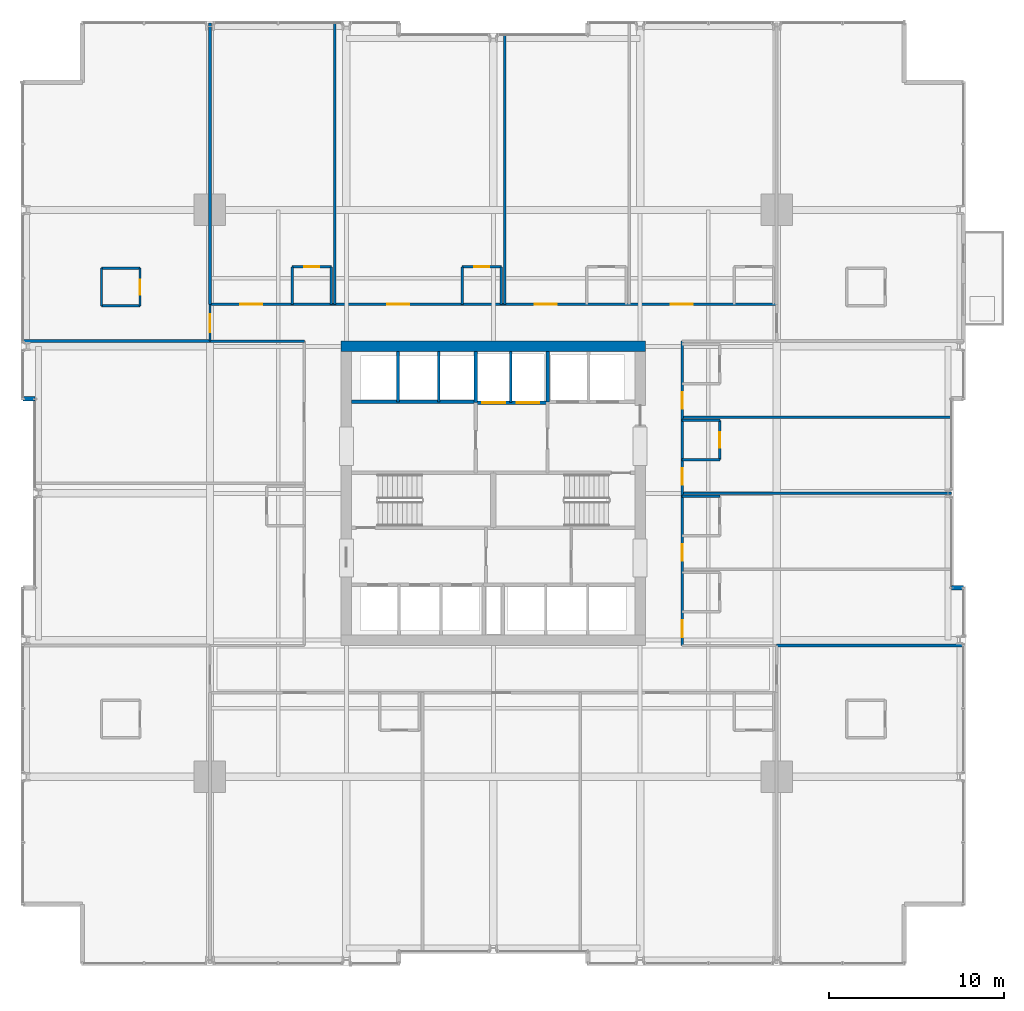
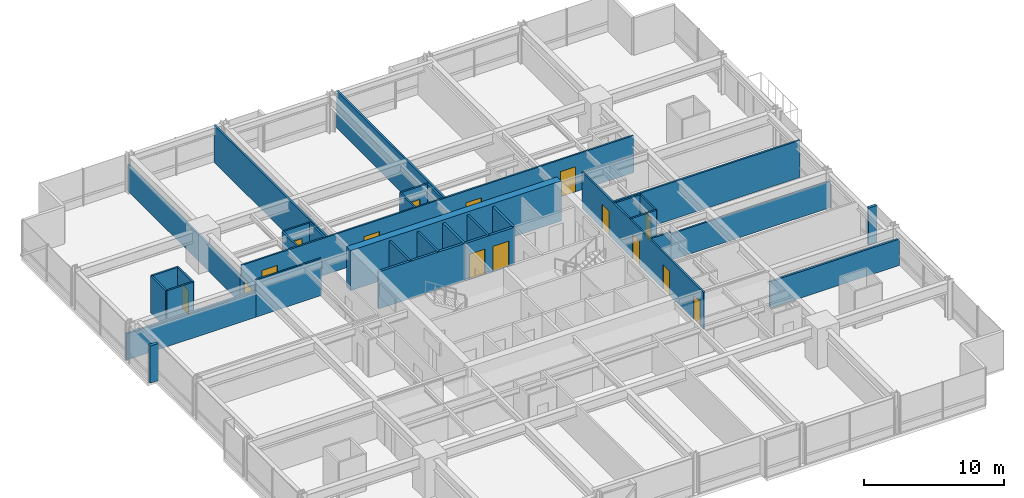
# One storey, part 32 of 38: 35 walls, 15 doors, 15 openings.
"""IFC4 building model written with IfcOpenShell, lengths in metres."""

from ifc_helpers import new_model, si_unit, direction, frame, frame_2d, origin, place, context, subcontext, project, spatial, rectangle, extrude, material, layer, layer_set, type_object, element, fill, save


model = new_model("IFC4")

# Units and contexts
model_context = context("Model", 3, precision=1e-05, world=origin(), true_north=direction((0.0, 1.0)))
body_context = subcontext(model_context, "Body", "Model", "MODEL_VIEW")
ifc_project = project(units=[si_unit("LENGTHUNIT", "METRE"), si_unit("AREAUNIT", "SQUARE_METRE"), si_unit("VOLUMEUNIT", "CUBIC_METRE"), si_unit("PLANEANGLEUNIT", "RADIAN"), si_unit("MASSUNIT", "GRAM", prefix="KILO")], contexts=[model_context])

# Site, building, storey
site_placement = place(None, origin())
site = spatial("IfcSite", under=ifc_project, at=site_placement, CompositionType="ELEMENT")
building_placement = place(site_placement, origin())
building = spatial("IfcBuilding", under=site, at=building_placement, Name="Drelvath Grand Hotel", CompositionType="ELEMENT")
storey_placement = place(building_placement, frame((0.0, 0.0, 47.199951171875)))
storey = spatial("IfcBuildingStorey", under=building, at=storey_placement, Name="L10", CompositionType="ELEMENT", Elevation=47.199951171875)

# Wall
ifc_material_1 = material(Name="Concrete C40/50", Category="concrete")
ifc_layer_1 = layer(ifc_material_1, 0.199951171875)
ifc_layer_set_1 = layer_set([ifc_layer_1], Name="Concrete C40/50")
wall_type_1 = type_object("IfcWallType", Name="Core Hoistway Fire Wall 200", PredefinedType="SOLIDWALL", material=ifc_layer_set_1)
wall_1_placement = place(storey_placement, frame((3.10009765625, 32.219970703125, 0.0), z_axis=(0.0, 0.0, 1.0), x_axis=(0.0, 1.0, 0.0)))
element("IfcWall", 1, at=wall_1_placement, inside=storey, type_object=wall_type_1, Name="L10 FSAE Hoistway West Wall", PredefinedType="SOLIDWALL", context=body_context, shape_type="SweptSolid", body=[
    extrude(rectangle(XDim=2.880126953125, YDim=0.199951171875, at=frame_2d((1.43994140625, 0.0))), origin(), (0.0, 0.0, 1.0), 3.239990234375),
])

# Wall, openings, doors
wall_2_placement = place(storey_placement, frame((-1.0, 32.179931640625, 0.0), z_axis=(0.0, 0.0, 1.0), x_axis=(1.0, 0.0, 0.0)))
wall_2 = element("IfcWall", 2, at=wall_2_placement, inside=storey, type_object=wall_type_1, Name="L10 Service Lift Hoistway Wall", PredefinedType="SOLIDWALL", context=body_context, shape_type="SweptSolid", body=[
    extrude(rectangle(XDim=4.10009765625, YDim=0.199951171875, at=frame_2d((2.050048828125, 0.0))), origin(), (0.0, 0.0, 1.0), 3.239990234375),
])
opening_1_placement = place(wall_2_placement, frame((0.3701171875, 0.0, 0.0)))
opening_1 = element("IfcOpeningElement", 3, at=opening_1_placement, cuts=wall_2, Name="Opening LD-SV-2", PredefinedType="OPENING", context=body_context, shape_type="SweptSolid", body=[
    extrude(rectangle(XDim=1.300048828125, YDim=2.199951171875, at=frame_2d((0.64990234375, 1.10009765625))), frame((0.0, 0.10986328125, 0.0), z_axis=(0.0, -1.0, 0.0), x_axis=(1.0, 0.0, 0.0)), (0.0, 0.0, 1.0), 0.219970703125),
])
opening_2_placement = place(wall_2_placement, frame((2.330078125, 0.0, 0.0)))
opening_2 = element("IfcOpeningElement", 4, at=opening_2_placement, cuts=wall_2, Name="Opening LD-SV-1", PredefinedType="OPENING", context=body_context, shape_type="SweptSolid", body=[
    extrude(rectangle(XDim=1.300048828125, YDim=2.199951171875, at=frame_2d((0.64990234375, 1.10009765625))), frame((0.0, 0.10986328125, 0.0), z_axis=(0.0, -1.0, 0.0), x_axis=(1.0, 0.0, 0.0)), (0.0, 0.0, 1.0), 0.219970703125),
])
ifc_material_2 = material(Name="Stainless Steel S355", Category="steel")
door_type_1 = type_object("IfcDoorType", Name="Service Lift Sliding Landing Door 1300x2200", OperationType="NOTDEFINED", PredefinedType="DOOR", material=ifc_material_2)
door_1_placement = place(opening_1_placement, origin())
door_1 = element("IfcDoor", 5, at=door_1_placement, inside=storey, type_object=door_type_1, Name="L10 Lift SV-2 Landing Door", OperationType="SLIDING_TO_LEFT", OverallHeight=2.199951171875, OverallWidth=1.300048828125, PredefinedType="DOOR", context=body_context, shape_type="SweptSolid", body=[
    extrude(rectangle(XDim=1.300048828125, YDim=2.199951171875, at=frame_2d((0.64990234375, 1.10009765625))), frame((0.0, 0.02490234375, 0.0), z_axis=(0.0, -1.0, 0.0), x_axis=(1.0, 0.0, 0.0)), (0.0, 0.0, 1.0), 0.050048828125),
])
fill(opening_1, door_1)
door_2_placement = place(opening_2_placement, origin())
door_2 = element("IfcDoor", 6, at=door_2_placement, inside=storey, type_object=door_type_1, Name="L10 Lift SV-1 Landing Door", OperationType="SLIDING_TO_LEFT", OverallHeight=2.199951171875, OverallWidth=1.300048828125, PredefinedType="DOOR", context=body_context, shape_type="SweptSolid", body=[
    extrude(rectangle(XDim=1.300048828125, YDim=2.199951171875, at=frame_2d((0.64990234375, 1.10009765625))), frame((0.0, 0.02490234375, 0.0), z_axis=(0.0, -1.0, 0.0), x_axis=(1.0, 0.0, 0.0)), (0.0, 0.0, 1.0), 0.050048828125),
])
fill(opening_2, door_2)

# Walls
wall_3_placement = place(storey_placement, frame((-1.0, 32.179931640625, 0.0), z_axis=(0.0, 0.0, 1.0), x_axis=(0.0, 1.0, 0.0)))
element("IfcWall", 7, at=wall_3_placement, inside=storey, type_object=wall_type_1, Name="L10 Service Lift West Wall", PredefinedType="SOLIDWALL", context=body_context, shape_type="SweptSolid", body=[
    extrude(rectangle(XDim=2.920166015625, YDim=0.199951171875, at=frame_2d((1.4599609375, 0.0))), origin(), (0.0, 0.0, 1.0), 3.239990234375),
])
wall_4_placement = place(storey_placement, frame((-8.10009765625, 32.219970703125, 0.0), z_axis=(0.0, 0.0, 1.0), x_axis=(1.0, 0.0, 0.0)))
element("IfcWall", 8, at=wall_4_placement, inside=storey, type_object=wall_type_1, Name="L10 Bank 3 Hoistway Wall", PredefinedType="SOLIDWALL", context=body_context, shape_type="SweptSolid", body=[
    extrude(rectangle(XDim=7.10009765625, YDim=0.199951171875, at=frame_2d((3.550048828125, 0.0))), origin(), (0.0, 0.0, 1.0), 3.239990234375),
])
ifc_material_3 = material(Name="Gypsum Fireboard Partition")
ifc_layer_2 = layer(ifc_material_3, 0.1650390625)
ifc_layer_set_2 = layer_set([ifc_layer_2], Name="Gypsum Fireboard Partition")
wall_type_2 = type_object("IfcWallType", Name="Core Shaft Partition 165", PredefinedType="PARTITIONING", material=ifc_layer_set_2)
wall_5_placement = place(storey_placement, frame((1.0, 32.179931640625, 0.0), z_axis=(0.0, 0.0, 1.0), x_axis=(0.0, 1.0, 0.0)))
element("IfcWall", 9, at=wall_5_placement, inside=storey, type_object=wall_type_2, Name="L10 Service Lift Divider", PredefinedType="PARTITIONING", context=body_context, shape_type="SweptSolid", body=[
    extrude(rectangle(XDim=2.920166015625, YDim=0.1650390625, at=frame_2d((1.4599609375, 0.0))), origin(), (0.0, 0.0, 1.0), 3.239990234375),
])
for number, where, z_axis, x_axis, name in (
    (10, (-5.43994140625, 32.219970703125, 0.0), (0.0, 0.0, 1.0), (0.0, 1.0, 0.0), "L10 Lift PE-7/8 Divider"),
    (11, (-3.1201171875, 32.219970703125, 0.0), (0.0, 0.0, 1.0), (0.0, 1.0, 0.0), "L10 Lift PE-8/9 Divider"),
):
    element("IfcWall", number, at=place(storey_placement, frame(where, z_axis=z_axis, x_axis=x_axis)), inside=storey, type_object=wall_type_2, Name=name, PredefinedType="PARTITIONING", context=body_context, shape_type="SweptSolid", body=[
        extrude(rectangle(XDim=2.880126953125, YDim=0.1650390625, at=frame_2d((1.43994140625, 0.0))), origin(), (0.0, 0.0, 1.0), 3.239990234375),
    ])

# Wall, openings, doors
ifc_layer_3 = layer(ifc_material_3, 0.135009765625)
ifc_layer_set_3 = layer_set([ifc_layer_3], Name="Gypsum Fireboard Partition")
wall_type_3 = type_object("IfcWallType", Name="Corridor Fire Barrier Wall 135", PredefinedType="PARTITIONING", material=ifc_layer_set_3)
wall_6_placement = place(storey_placement, frame((-16.199951171875, 37.800048828125, 0.0), z_axis=(0.0, 0.0, 1.0), x_axis=(1.0, 0.0, 0.0)))
wall_6 = element("IfcWall", 12, at=wall_6_placement, inside=storey, type_object=wall_type_3, Name="L10 North Corridor Wall", PredefinedType="PARTITIONING", context=body_context, shape_type="SweptSolid", body=[
    extrude(rectangle(XDim=32.39990234375, YDim=0.135009765625, at=frame_2d((16.199951171875, 0.0))), origin(), (0.0, 0.0, 1.0), 3.239990234375),
])
opening_3_placement = place(wall_6_placement, frame((1.718994140625, 0.0, 0.0)))
opening_3 = element("IfcOpeningElement", 13, at=opening_3_placement, cuts=wall_6, Name="Opening D-T1G2-030", PredefinedType="OPENING", context=body_context, shape_type="SweptSolid", body=[
    extrude(rectangle(XDim=1.260009765625, YDim=2.199951171875, at=frame_2d((0.6298828125, 1.10009765625))), frame((0.0, 0.077392578125, 0.0), z_axis=(0.0, -1.0, 0.0), x_axis=(1.0, 0.0, 0.0)), (0.0, 0.0, 1.0), 0.155029296875),
])
opening_4_placement = place(wall_6_placement, frame((10.14306640625, 0.0, 0.0)))
opening_4 = element("IfcOpeningElement", 14, at=opening_4_placement, cuts=wall_6, Name="Opening D-T1G2-032", PredefinedType="OPENING", context=body_context, shape_type="SweptSolid", body=[
    extrude(rectangle(XDim=1.260009765625, YDim=2.199951171875, at=frame_2d((0.6298828125, 1.10009765625))), frame((0.0, 0.077392578125, 0.0), z_axis=(0.0, -1.0, 0.0), x_axis=(1.0, 0.0, 0.0)), (0.0, 0.0, 1.0), 0.155029296875),
])
opening_5_placement = place(wall_6_placement, frame((18.56689453125, 0.0, 0.0)))
opening_5 = element("IfcOpeningElement", 15, at=opening_5_placement, cuts=wall_6, Name="Opening D-T1G2-034", PredefinedType="OPENING", context=body_context, shape_type="SweptSolid", body=[
    extrude(rectangle(XDim=1.260009765625, YDim=2.199951171875, at=frame_2d((0.6298828125, 1.10009765625))), frame((0.0, 0.077392578125, 0.0), z_axis=(0.0, -1.0, 0.0), x_axis=(1.0, 0.0, 0.0)), (0.0, 0.0, 1.0), 0.155029296875),
])
opening_6_placement = place(wall_6_placement, frame((26.343017578125, 0.0, 0.0)))
opening_6 = element("IfcOpeningElement", 16, at=opening_6_placement, cuts=wall_6, Name="Opening D-T1G2-036", PredefinedType="OPENING", context=body_context, shape_type="SweptSolid", body=[
    extrude(rectangle(XDim=1.260009765625, YDim=2.199951171875, at=frame_2d((0.6298828125, 1.10009765625))), frame((0.0, 0.077392578125, 0.0), z_axis=(0.0, -1.0, 0.0), x_axis=(1.0, 0.0, 0.0)), (0.0, 0.0, 1.0), 0.155029296875),
])
ifc_material_4 = material(Name="Hardwood Walnut Timber", Category="wood")
door_type_2 = type_object("IfcDoorType", Name="Suite Entrance Fire Door 1260x2200", OperationType="NOTDEFINED", PredefinedType="DOOR", material=ifc_material_4)
door_3_placement = place(opening_3_placement, origin())
door_3 = element("IfcDoor", 17, at=door_3_placement, inside=storey, type_object=door_type_2, Name="L10 Corner Suite Entry Door", OperationType="SINGLE_SWING_LEFT", OverallHeight=2.199951171875, OverallWidth=1.260009765625, PredefinedType="DOOR", context=body_context, shape_type="SweptSolid", body=[
    extrude(rectangle(XDim=1.260009765625, YDim=2.199951171875, at=frame_2d((0.6298828125, 1.10009765625))), frame((0.0, 0.02490234375, 0.0), z_axis=(0.0, -1.0, 0.0), x_axis=(1.0, 0.0, 0.0)), (0.0, 0.0, 1.0), 0.050048828125),
])
fill(opening_3, door_3)
door_4_placement = place(opening_4_placement, origin())
door_4 = element("IfcDoor", 18, at=door_4_placement, inside=storey, type_object=door_type_2, Name="L10 Corner Suite Entry Door", OperationType="SINGLE_SWING_LEFT", OverallHeight=2.199951171875, OverallWidth=1.260009765625, PredefinedType="DOOR", context=body_context, shape_type="SweptSolid", body=[
    extrude(rectangle(XDim=1.260009765625, YDim=2.199951171875, at=frame_2d((0.6298828125, 1.10009765625))), frame((0.0, 0.02490234375, 0.0), z_axis=(0.0, -1.0, 0.0), x_axis=(1.0, 0.0, 0.0)), (0.0, 0.0, 1.0), 0.050048828125),
])
fill(opening_4, door_4)
door_5_placement = place(opening_5_placement, origin())
door_5 = element("IfcDoor", 19, at=door_5_placement, inside=storey, type_object=door_type_2, Name="L10 Corner Suite Entry Door", OperationType="SINGLE_SWING_LEFT", OverallHeight=2.199951171875, OverallWidth=1.260009765625, PredefinedType="DOOR", context=body_context, shape_type="SweptSolid", body=[
    extrude(rectangle(XDim=1.260009765625, YDim=2.199951171875, at=frame_2d((0.6298828125, 1.10009765625))), frame((0.0, 0.02490234375, 0.0), z_axis=(0.0, -1.0, 0.0), x_axis=(1.0, 0.0, 0.0)), (0.0, 0.0, 1.0), 0.050048828125),
])
fill(opening_5, door_5)
door_6_placement = place(opening_6_placement, origin())
door_6 = element("IfcDoor", 20, at=door_6_placement, inside=storey, type_object=door_type_2, Name="L10 Corner Suite Entry Door", OperationType="SINGLE_SWING_LEFT", OverallHeight=2.199951171875, OverallWidth=1.260009765625, PredefinedType="DOOR", context=body_context, shape_type="SweptSolid", body=[
    extrude(rectangle(XDim=1.260009765625, YDim=2.199951171875, at=frame_2d((0.6298828125, 1.10009765625))), frame((0.0, 0.02490234375, 0.0), z_axis=(0.0, -1.0, 0.0), x_axis=(1.0, 0.0, 0.0)), (0.0, 0.0, 1.0), 0.050048828125),
])
fill(opening_6, door_6)

# Wall
wall_7_placement = place(storey_placement, frame((-16.199951171875, 35.699951171875, 0.0), z_axis=(0.0, 0.0, 1.0), x_axis=(1.0, 0.0, 0.0)))
element("IfcWall", 21, at=wall_7_placement, inside=storey, type_object=wall_type_3, Name="L10 NW Spur Inner Wall", PredefinedType="PARTITIONING", context=body_context, shape_type="SweptSolid", body=[
    extrude(rectangle(XDim=5.39990234375, YDim=0.135009765625, at=frame_2d((2.699951171875, 0.0))), origin(), (0.0, 0.0, 1.0), 3.239990234375),
])

# Wall, openings, doors
wall_8_placement = place(storey_placement, frame((10.800048828125, 18.300048828125, 0.0), z_axis=(0.0, 0.0, 1.0), x_axis=(0.0, 1.0, 0.0)))
wall_8 = element("IfcWall", 22, at=wall_8_placement, inside=storey, type_object=wall_type_3, Name="L10 East Corridor Wall", PredefinedType="PARTITIONING", context=body_context, shape_type="SweptSolid", body=[
    extrude(rectangle(XDim=17.39990234375, YDim=0.135009765625, at=frame_2d((8.699951171875, 0.0))), origin(), (0.0, 0.0, 1.0), 3.239990234375),
])
opening_7_placement = place(wall_8_placement, frame((0.47998046875, 0.0, 0.0)))
opening_7 = element("IfcOpeningElement", 23, at=opening_7_placement, cuts=wall_8, Name="Opening D-T1G2-041", PredefinedType="OPENING", context=body_context, shape_type="SweptSolid", body=[
    extrude(rectangle(XDim=0.9599609375, YDim=2.14990234375, at=frame_2d((0.47998046875, 1.074951171875))), frame((0.0, 0.077392578125, 0.0), z_axis=(0.0, -1.0, 0.0), x_axis=(1.0, 0.0, 0.0)), (0.0, 0.0, 1.0), 0.155029296875),
])
opening_8_placement = place(wall_8_placement, frame((4.830078125, 0.0, 0.0)))
opening_8 = element("IfcOpeningElement", 24, at=opening_8_placement, cuts=wall_8, Name="Opening D-T1G2-043", PredefinedType="OPENING", context=body_context, shape_type="SweptSolid", body=[
    extrude(rectangle(XDim=0.9599609375, YDim=2.14990234375, at=frame_2d((0.47998046875, 1.074951171875))), frame((0.0, 0.077392578125, 0.0), z_axis=(0.0, -1.0, 0.0), x_axis=(1.0, 0.0, 0.0)), (0.0, 0.0, 1.0), 0.155029296875),
])
opening_9_placement = place(wall_8_placement, frame((9.179931640625, 0.0, 0.0)))
opening_9 = element("IfcOpeningElement", 25, at=opening_9_placement, cuts=wall_8, Name="Opening D-T1G2-045", PredefinedType="OPENING", context=body_context, shape_type="SweptSolid", body=[
    extrude(rectangle(XDim=0.9599609375, YDim=2.14990234375, at=frame_2d((0.47998046875, 1.074951171875))), frame((0.0, 0.077392578125, 0.0), z_axis=(0.0, -1.0, 0.0), x_axis=(1.0, 0.0, 0.0)), (0.0, 0.0, 1.0), 0.155029296875),
])
opening_10_placement = place(wall_8_placement, frame((13.530029296875, 0.0, 0.0)))
opening_10 = element("IfcOpeningElement", 26, at=opening_10_placement, cuts=wall_8, Name="Opening D-T1G2-047", PredefinedType="OPENING", context=body_context, shape_type="SweptSolid", body=[
    extrude(rectangle(XDim=0.9599609375, YDim=2.14990234375, at=frame_2d((0.47998046875, 1.074951171875))), frame((0.0, 0.077392578125, 0.0), z_axis=(0.0, -1.0, 0.0), x_axis=(1.0, 0.0, 0.0)), (0.0, 0.0, 1.0), 0.155029296875),
])
door_type_3 = type_object("IfcDoorType", Name="Guestroom Entrance Fire Door 960x2150", OperationType="NOTDEFINED", PredefinedType="DOOR", material=ifc_material_4)
door_7_placement = place(opening_7_placement, origin())
door_7 = element("IfcDoor", 27, at=door_7_placement, inside=storey, type_object=door_type_3, Name="L10 Deluxe Guest Room Entry Door", OperationType="SINGLE_SWING_RIGHT", OverallHeight=2.14990234375, OverallWidth=0.9599609375, PredefinedType="DOOR", context=body_context, shape_type="SweptSolid", body=[
    extrude(rectangle(XDim=0.9599609375, YDim=2.14990234375, at=frame_2d((0.47998046875, 1.074951171875))), frame((0.0, 0.02490234375, 0.0), z_axis=(0.0, -1.0, 0.0), x_axis=(1.0, 0.0, 0.0)), (0.0, 0.0, 1.0), 0.050048828125),
])
fill(opening_7, door_7)
door_8_placement = place(opening_8_placement, origin())
door_8 = element("IfcDoor", 28, at=door_8_placement, inside=storey, type_object=door_type_3, Name="L10 Deluxe Guest Room Entry Door", OperationType="SINGLE_SWING_RIGHT", OverallHeight=2.14990234375, OverallWidth=0.9599609375, PredefinedType="DOOR", context=body_context, shape_type="SweptSolid", body=[
    extrude(rectangle(XDim=0.9599609375, YDim=2.14990234375, at=frame_2d((0.47998046875, 1.074951171875))), frame((0.0, 0.02490234375, 0.0), z_axis=(0.0, -1.0, 0.0), x_axis=(1.0, 0.0, 0.0)), (0.0, 0.0, 1.0), 0.050048828125),
])
fill(opening_8, door_8)
door_9_placement = place(opening_9_placement, origin())
door_9 = element("IfcDoor", 29, at=door_9_placement, inside=storey, type_object=door_type_3, Name="L10 Deluxe Guest Room Entry Door", OperationType="SINGLE_SWING_RIGHT", OverallHeight=2.14990234375, OverallWidth=0.9599609375, PredefinedType="DOOR", context=body_context, shape_type="SweptSolid", body=[
    extrude(rectangle(XDim=0.9599609375, YDim=2.14990234375, at=frame_2d((0.47998046875, 1.074951171875))), frame((0.0, 0.02490234375, 0.0), z_axis=(0.0, -1.0, 0.0), x_axis=(1.0, 0.0, 0.0)), (0.0, 0.0, 1.0), 0.050048828125),
])
fill(opening_9, door_9)
door_10_placement = place(opening_10_placement, origin())
door_10 = element("IfcDoor", 30, at=door_10_placement, inside=storey, type_object=door_type_3, Name="L10 Deluxe Guest Room Entry Door", OperationType="SINGLE_SWING_RIGHT", OverallHeight=2.14990234375, OverallWidth=0.9599609375, PredefinedType="DOOR", context=body_context, shape_type="SweptSolid", body=[
    extrude(rectangle(XDim=0.9599609375, YDim=2.14990234375, at=frame_2d((0.47998046875, 1.074951171875))), frame((0.0, 0.02490234375, 0.0), z_axis=(0.0, -1.0, 0.0), x_axis=(1.0, 0.0, 0.0)), (0.0, 0.0, 1.0), 0.050048828125),
])
fill(opening_10, door_10)

# Wall, opening, door
wall_9_placement = place(storey_placement, frame((-16.199951171875, 35.699951171875, 0.0), z_axis=(0.0, 0.0, 1.0), x_axis=(0.0, 1.0, 0.0)))
wall_9 = element("IfcWall", 31, at=wall_9_placement, inside=storey, type_object=wall_type_3, Name="L10 North Corridor West End", PredefinedType="PARTITIONING", context=body_context, shape_type="SweptSolid", body=[
    extrude(rectangle(XDim=2.10009765625, YDim=0.135009765625, at=frame_2d((1.050048828125, 0.0))), origin(), (0.0, 0.0, 1.0), 2.29833984375),
])
opening_11_placement = place(wall_9_placement, frame((0.52001953125, 0.0, 0.0)))
opening_11 = element("IfcOpeningElement", 32, at=opening_11_placement, cuts=wall_9, Name="Opening D-T1G2-021", PredefinedType="OPENING", context=body_context, shape_type="SweptSolid", body=[
    extrude(rectangle(XDim=1.02001953125, YDim=2.14990234375, at=frame_2d((0.510009765625, 1.074951171875))), frame((0.0, 0.077392578125, 0.0), z_axis=(0.0, -1.0, 0.0), x_axis=(1.0, 0.0, 0.0)), (0.0, 0.0, 1.0), 0.155029296875),
])
door_type_4 = type_object("IfcDoorType", Name="Amenity Meeting Fire Door 1020x2150", OperationType="NOTDEFINED", PredefinedType="DOOR", material=ifc_material_4)
door_11_placement = place(opening_11_placement, origin())
door_11 = element("IfcDoor", 33, at=door_11_placement, inside=storey, type_object=door_type_4, Name="L10 Corner Suite Entry Door", OperationType="SINGLE_SWING_RIGHT", OverallHeight=2.14990234375, OverallWidth=1.02001953125, PredefinedType="DOOR", context=body_context, shape_type="SweptSolid", body=[
    extrude(rectangle(XDim=1.02001953125, YDim=2.14990234375, at=frame_2d((0.510009765625, 1.074951171875))), frame((0.0, 0.02490234375, 0.0), z_axis=(0.0, -1.0, 0.0), x_axis=(1.0, 0.0, 0.0)), (0.0, 0.0, 1.0), 0.050048828125),
])
fill(opening_11, door_11)

# Walls
ifc_material_5 = material(Name="Moisture-Resistant Gypsum Board")
ifc_layer_4 = layer(ifc_material_5, 0.139892578125)
ifc_layer_set_4 = layer_set([ifc_layer_4], Name="Moisture-Resistant Gypsum Board")
wall_type_4 = type_object("IfcWallType", Name="En-Suite Plumbing Wall 140", PredefinedType="PLUMBINGWALL", material=ifc_layer_set_4)
for number, where, z_axis, x_axis, name in (
    (34, (-22.39990234375, 37.719970703125, 0.0), (0.0, 0.0, 1.0), (1.0, 0.0, 0.0), "L10 Corner En-Suite South"),
    (35, (-22.39990234375, 39.8701171875, 0.0), (0.0, 0.0, 1.0), (1.0, 0.0, 0.0), "L10 Corner En-Suite North"),
):
    element("IfcWall", number, at=place(storey_placement, frame(where, z_axis=z_axis, x_axis=x_axis)), inside=storey, type_object=wall_type_4, Name=name, PredefinedType="PLUMBINGWALL", context=body_context, shape_type="SweptSolid", body=[
        extrude(rectangle(XDim=2.199951171875, YDim=0.139892578125, at=frame_2d((1.10009765625, 0.0))), origin(), (0.0, 0.0, 1.0), 3.239990234375),
    ])
wall_10_placement = place(storey_placement, frame((-22.39990234375, 37.719970703125, 0.0), z_axis=(0.0, 0.0, 1.0), x_axis=(0.0, 1.0, 0.0)))
element("IfcWall", 36, at=wall_10_placement, inside=storey, type_object=wall_type_4, Name="L10 Corner En-Suite West", PredefinedType="PLUMBINGWALL", context=body_context, shape_type="SweptSolid", body=[
    extrude(rectangle(XDim=2.150146484375, YDim=0.139892578125, at=frame_2d((1.0751953125, 0.0))), origin(), (0.0, 0.0, 1.0), 3.239990234375),
])

# Wall, opening, door
wall_11_placement = place(storey_placement, frame((-20.199951171875, 37.719970703125, 0.0), z_axis=(0.0, 0.0, 1.0), x_axis=(0.0, 1.0, 0.0)))
wall_11 = element("IfcWall", 37, at=wall_11_placement, inside=storey, type_object=wall_type_4, Name="L10 Corner En-Suite East", PredefinedType="PLUMBINGWALL", context=body_context, shape_type="SweptSolid", body=[
    extrude(rectangle(XDim=2.150146484375, YDim=0.139892578125, at=frame_2d((1.0751953125, 0.0))), origin(), (0.0, 0.0, 1.0), 3.239990234375),
])
opening_12_placement = place(wall_11_placement, frame((0.6201171875, 0.0, 0.0)))
opening_12 = element("IfcOpeningElement", 38, at=opening_12_placement, cuts=wall_11, Name="Opening D-T1G2-020", PredefinedType="OPENING", context=body_context, shape_type="SweptSolid", body=[
    extrude(rectangle(XDim=0.8798828125, YDim=2.10009765625, at=frame_2d((0.43994140625, 1.050048828125))), frame((0.0, 0.079833984375, 0.0), z_axis=(0.0, -1.0, 0.0), x_axis=(1.0, 0.0, 0.0)), (0.0, 0.0, 1.0), 0.159912109375),
])
door_type_5 = type_object("IfcDoorType", Name="En-Suite Bathroom Door 880x2100", OperationType="NOTDEFINED", PredefinedType="DOOR", material=ifc_material_4)
door_12_placement = place(opening_12_placement, origin())
door_12 = element("IfcDoor", 39, at=door_12_placement, inside=storey, type_object=door_type_5, Name="L10 Corner En-Suite Door", OperationType="SINGLE_SWING_LEFT", OverallHeight=2.10009765625, OverallWidth=0.8798828125, PredefinedType="DOOR", context=body_context, shape_type="SweptSolid", body=[
    extrude(rectangle(XDim=0.8798828125, YDim=2.10009765625, at=frame_2d((0.43994140625, 1.050048828125))), frame((0.0, 0.02490234375, 0.0), z_axis=(0.0, -1.0, 0.0), x_axis=(1.0, 0.0, 0.0)), (0.0, 0.0, 1.0), 0.050048828125),
])
fill(opening_12, door_12)

# Walls
for number, where, z_axis, x_axis, name in (
    (40, (-11.501953125, 37.800048828125, 0.0), (0.0, 0.0, 1.0), (0.0, 1.0, 0.0), "L10 En-Suite Left Wall"),
    (41, (-9.251953125, 37.800048828125, 0.0), (0.0, 0.0, 1.0), (0.0, 1.0, 0.0), "L10 En-Suite Right Wall"),
):
    element("IfcWall", number, at=place(storey_placement, frame(where, z_axis=z_axis, x_axis=x_axis)), inside=storey, type_object=wall_type_4, Name=name, PredefinedType="PLUMBINGWALL", context=body_context, shape_type="SweptSolid", body=[
        extrude(rectangle(XDim=2.14990234375, YDim=0.139892578125, at=frame_2d((1.074951171875, 0.0))), origin(), (0.0, 0.0, 1.0), 3.239990234375),
    ])

# Wall, opening, door
wall_12_placement = place(storey_placement, frame((-11.501953125, 39.949951171875, 0.0), z_axis=(0.0, 0.0, 1.0), x_axis=(1.0, 0.0, 0.0)))
wall_12 = element("IfcWall", 42, at=wall_12_placement, inside=storey, type_object=wall_type_4, Name="L10 En-Suite Front Wall", PredefinedType="PLUMBINGWALL", context=body_context, shape_type="SweptSolid", body=[
    extrude(rectangle(XDim=2.25, YDim=0.139892578125, at=frame_2d((1.125, 0.0))), origin(), (0.0, 0.0, 1.0), 3.239990234375),
])
opening_13_placement = place(wall_12_placement, frame((0.68505859375, 0.0, 0.0)))
opening_13 = element("IfcOpeningElement", 43, at=opening_13_placement, cuts=wall_12, Name="Opening D-T1G2-029", PredefinedType="OPENING", context=body_context, shape_type="SweptSolid", body=[
    extrude(rectangle(XDim=0.8798828125, YDim=2.10009765625, at=frame_2d((0.43994140625, 1.050048828125))), frame((0.0, 0.079833984375, 0.0), z_axis=(0.0, -1.0, 0.0), x_axis=(1.0, 0.0, 0.0)), (0.0, 0.0, 1.0), 0.159912109375),
])
door_13_placement = place(opening_13_placement, origin())
door_13 = element("IfcDoor", 44, at=door_13_placement, inside=storey, type_object=door_type_5, Name="L10 En-Suite Bathroom Door", OperationType="SINGLE_SWING_RIGHT", OverallHeight=2.10009765625, OverallWidth=0.8798828125, PredefinedType="DOOR", context=body_context, shape_type="SweptSolid", body=[
    extrude(rectangle(XDim=0.8798828125, YDim=2.10009765625, at=frame_2d((0.43994140625, 1.050048828125))), frame((0.0, 0.02490234375, 0.0), z_axis=(0.0, -1.0, 0.0), x_axis=(1.0, 0.0, 0.0)), (0.0, 0.0, 1.0), 0.050048828125),
])
fill(opening_13, door_13)

# Walls
for number, where, z_axis, x_axis, name in (
    (45, (-1.781982421875, 37.800048828125, 0.0), (0.0, 0.0, 1.0), (0.0, 1.0, 0.0), "L10 En-Suite Left Wall"),
    (46, (0.468017578125, 37.800048828125, 0.0), (0.0, 0.0, 1.0), (0.0, 1.0, 0.0), "L10 En-Suite Right Wall"),
):
    element("IfcWall", number, at=place(storey_placement, frame(where, z_axis=z_axis, x_axis=x_axis)), inside=storey, type_object=wall_type_4, Name=name, PredefinedType="PLUMBINGWALL", context=body_context, shape_type="SweptSolid", body=[
        extrude(rectangle(XDim=2.14990234375, YDim=0.139892578125, at=frame_2d((1.074951171875, 0.0))), origin(), (0.0, 0.0, 1.0), 3.239990234375),
    ])

# Wall, opening, door
wall_13_placement = place(storey_placement, frame((-1.781982421875, 39.949951171875, 0.0), z_axis=(0.0, 0.0, 1.0), x_axis=(1.0, 0.0, 0.0)))
wall_13 = element("IfcWall", 47, at=wall_13_placement, inside=storey, type_object=wall_type_4, Name="L10 En-Suite Front Wall", PredefinedType="PLUMBINGWALL", context=body_context, shape_type="SweptSolid", body=[
    extrude(rectangle(XDim=2.25, YDim=0.139892578125, at=frame_2d((1.125, 0.0))), origin(), (0.0, 0.0, 1.0), 3.239990234375),
])
opening_14_placement = place(wall_13_placement, frame((0.68505859375, 0.0, 0.0)))
opening_14 = element("IfcOpeningElement", 48, at=opening_14_placement, cuts=wall_13, Name="Opening D-T1G2-031", PredefinedType="OPENING", context=body_context, shape_type="SweptSolid", body=[
    extrude(rectangle(XDim=0.8798828125, YDim=2.10009765625, at=frame_2d((0.43994140625, 1.050048828125))), frame((0.0, 0.079833984375, 0.0), z_axis=(0.0, -1.0, 0.0), x_axis=(1.0, 0.0, 0.0)), (0.0, 0.0, 1.0), 0.159912109375),
])
door_14_placement = place(opening_14_placement, origin())
door_14 = element("IfcDoor", 49, at=door_14_placement, inside=storey, type_object=door_type_5, Name="L10 En-Suite Bathroom Door", OperationType="SINGLE_SWING_RIGHT", OverallHeight=2.10009765625, OverallWidth=0.8798828125, PredefinedType="DOOR", context=body_context, shape_type="SweptSolid", body=[
    extrude(rectangle(XDim=0.8798828125, YDim=2.10009765625, at=frame_2d((0.43994140625, 1.050048828125))), frame((0.0, 0.02490234375, 0.0), z_axis=(0.0, -1.0, 0.0), x_axis=(1.0, 0.0, 0.0)), (0.0, 0.0, 1.0), 0.050048828125),
])
fill(opening_14, door_14)

# Walls
wall_14_placement = place(storey_placement, frame((10.800048828125, 26.820068359375, 0.0), z_axis=(0.0, 0.0, 1.0), x_axis=(1.0, 0.0, 0.0)))
element("IfcWall", 50, at=wall_14_placement, inside=storey, type_object=wall_type_4, Name="L10 En-Suite Right Wall", PredefinedType="PLUMBINGWALL", context=body_context, shape_type="SweptSolid", body=[
    extrude(rectangle(XDim=2.14990234375, YDim=0.139892578125, at=frame_2d((1.074951171875, 0.0))), origin(), (0.0, 0.0, 1.0), 2.617431640625),
])
for number, where, z_axis, x_axis, name in (
    (51, (10.800048828125, 28.919921875, 0.0), (0.0, 0.0, 1.0), (1.0, 0.0, 0.0), "L10 En-Suite Left Wall"),
    (52, (10.800048828125, 31.169921875, 0.0), (0.0, 0.0, 1.0), (1.0, 0.0, 0.0), "L10 En-Suite Right Wall"),
):
    element("IfcWall", number, at=place(storey_placement, frame(where, z_axis=z_axis, x_axis=x_axis)), inside=storey, type_object=wall_type_4, Name=name, PredefinedType="PLUMBINGWALL", context=body_context, shape_type="SweptSolid", body=[
        extrude(rectangle(XDim=2.14990234375, YDim=0.139892578125, at=frame_2d((1.074951171875, 0.0))), origin(), (0.0, 0.0, 1.0), 3.239990234375),
    ])

# Wall, opening, door
wall_15_placement = place(storey_placement, frame((12.949951171875, 28.919921875, 0.0), z_axis=(0.0, 0.0, 1.0), x_axis=(0.0, 1.0, 0.0)))
wall_15 = element("IfcWall", 53, at=wall_15_placement, inside=storey, type_object=wall_type_4, Name="L10 En-Suite Front Wall", PredefinedType="PLUMBINGWALL", context=body_context, shape_type="SweptSolid", body=[
    extrude(rectangle(XDim=2.25, YDim=0.139892578125, at=frame_2d((1.125, 0.0))), origin(), (0.0, 0.0, 1.0), 3.239990234375),
])
opening_15_placement = place(wall_15_placement, frame((0.68505859375, 0.0, 0.0)))
opening_15 = element("IfcOpeningElement", 54, at=opening_15_placement, cuts=wall_15, Name="Opening D-T1G2-044", PredefinedType="OPENING", context=body_context, shape_type="SweptSolid", body=[
    extrude(rectangle(XDim=0.8798828125, YDim=2.10009765625, at=frame_2d((0.43994140625, 1.050048828125))), frame((0.0, 0.079833984375, 0.0), z_axis=(0.0, -1.0, 0.0), x_axis=(1.0, 0.0, 0.0)), (0.0, 0.0, 1.0), 0.159912109375),
])
door_15_placement = place(opening_15_placement, origin())
door_15 = element("IfcDoor", 55, at=door_15_placement, inside=storey, type_object=door_type_5, Name="L10 En-Suite Bathroom Door", OperationType="SINGLE_SWING_LEFT", OverallHeight=2.10009765625, OverallWidth=0.8798828125, PredefinedType="DOOR", context=body_context, shape_type="SweptSolid", body=[
    extrude(rectangle(XDim=0.8798828125, YDim=2.10009765625, at=frame_2d((0.43994140625, 1.050048828125))), frame((0.0, 0.02490234375, 0.0), z_axis=(0.0, -1.0, 0.0), x_axis=(1.0, 0.0, 0.0)), (0.0, 0.0, 1.0), 0.050048828125),
])
fill(opening_15, door_15)

# Walls
ifc_material_6 = material(Name="Gypsum Acoustic Partition")
ifc_layer_5 = layer(ifc_material_6, 0.14990234375)
ifc_layer_set_5 = layer_set([ifc_layer_5], Name="Gypsum Acoustic Partition")
wall_type_5 = type_object("IfcWallType", Name="Guestroom Demising Wall 150", PredefinedType="PARTITIONING", material=ifc_layer_set_5)
wall_16_placement = place(storey_placement, frame((-9.072021484375, 37.800048828125, 0.0), z_axis=(0.0, 0.0, 1.0), x_axis=(0.0, 1.0, 0.0)))
element("IfcWall", 56, at=wall_16_placement, inside=storey, type_object=wall_type_5, Name="L10 North Demising 1", PredefinedType="PARTITIONING", context=body_context, shape_type="SweptSolid", body=[
    extrude(rectangle(XDim=16.079833984375, YDim=0.14990234375, at=frame_2d((8.0400390625, 0.0))), origin(), (0.0, 0.0, 1.0), 3.239990234375),
])
wall_17_placement = place(storey_placement, frame((0.64794921875, 37.800048828125, 0.0), z_axis=(0.0, 0.0, 1.0), x_axis=(0.0, 1.0, 0.0)))
element("IfcWall", 57, at=wall_17_placement, inside=storey, type_object=wall_type_5, Name="L10 North Demising 2", PredefinedType="PARTITIONING", context=body_context, shape_type="SweptSolid", body=[
    extrude(rectangle(XDim=15.39990234375, YDim=0.14990234375, at=frame_2d((7.699951171875, 0.0))), origin(), (0.0, 0.0, 1.0), 3.239990234375),
])
wall_18_placement = place(storey_placement, frame((10.800048828125, 27.0, 0.0), z_axis=(0.0, 0.0, 1.0), x_axis=(1.0, 0.0, 0.0)))
element("IfcWall", 58, at=wall_18_placement, inside=storey, type_object=wall_type_5, Name="L10 East Demising 2", PredefinedType="PARTITIONING", context=body_context, shape_type="SweptSolid", body=[
    extrude(rectangle(XDim=15.39990234375, YDim=0.14990234375, at=frame_2d((7.699951171875, 0.0))), origin(), (0.0, 0.0, 1.0), 2.29833984375),
])
wall_19_placement = place(storey_placement, frame((10.800048828125, 31.35009765625, 0.0), z_axis=(0.0, 0.0, 1.0), x_axis=(1.0, 0.0, 0.0)))
element("IfcWall", 59, at=wall_19_placement, inside=storey, type_object=wall_type_5, Name="L10 East Demising 3", PredefinedType="PARTITIONING", context=body_context, shape_type="SweptSolid", body=[
    extrude(rectangle(XDim=15.39990234375, YDim=0.14990234375, at=frame_2d((7.699951171875, 0.0))), origin(), (0.0, 0.0, 1.0), 3.239990234375),
])
ifc_material_7 = material(Name="Concrete f'c 70 MPa", Category="concrete")
ifc_layer_6 = layer(ifc_material_7, 0.60009765625)
ifc_layer_set_6 = layer_set([ifc_layer_6], Name="Concrete f'c 70 MPa")
wall_type_6 = type_object("IfcWallType", Name="Lower Core RC Shear Wall 600", PredefinedType="SHEAR", material=ifc_layer_set_6)
wall_20_placement = place(storey_placement, frame((-8.699951171875, 35.39990234375, 0.0), z_axis=(0.0, 0.0, 1.0), x_axis=(1.0, 0.0, 0.0)))
element("IfcWall", 60, at=wall_20_placement, inside=storey, type_object=wall_type_6, Name="L10 Central Core Shear Wall N", PredefinedType="SHEAR", context=body_context, shape_type="SweptSolid", body=[
    extrude(rectangle(XDim=17.39990234375, YDim=0.60009765625, at=frame_2d((8.699951171875, 0.0))), origin(), (0.0, 0.0, 1.0), 3.5),
])
ifc_layer_7 = layer(ifc_material_6, 0.1650390625)
ifc_layer_set_7 = layer_set([ifc_layer_7], Name="Gypsum Acoustic Partition")
wall_type_7 = type_object("IfcWallType", Name="Suite Demising Wall 165", PredefinedType="PARTITIONING", material=ifc_layer_set_7)
wall_21_placement = place(storey_placement, frame((-16.199951171875, 37.800048828125, 0.0), z_axis=(0.0, 0.0, 1.0), x_axis=(0.0, 1.0, 0.0)))
element("IfcWall", 61, at=wall_21_placement, inside=storey, type_object=wall_type_7, Name="L10 NW Wing Boundary Wall", PredefinedType="PARTITIONING", context=body_context, shape_type="SweptSolid", body=[
    extrude(rectangle(XDim=16.079833984375, YDim=0.1650390625, at=frame_2d((8.0400390625, 0.0))), origin(), (0.0, 0.0, 1.0), 2.29833984375),
])
for number, where, z_axis, x_axis, name in (
    (62, (16.199951171875, 18.300048828125, 0.0), (0.0, 0.0, 1.0), (1.0, 0.0, 0.0), "L10 SE Corner North Wall"),
    (63, (-26.8798828125, 35.699951171875, 0.0), (0.0, 0.0, 1.0), (1.0, 0.0, 0.0), "L10 NW Corner South Wall"),
):
    element("IfcWall", number, at=place(storey_placement, frame(where, z_axis=z_axis, x_axis=x_axis)), inside=storey, type_object=wall_type_7, Name=name, PredefinedType="PARTITIONING", context=body_context, shape_type="SweptSolid", body=[
        extrude(rectangle(XDim=10.679931640625, YDim=0.1650390625, at=frame_2d((5.33984375, 0.0))), origin(), (0.0, 0.0, 1.0), 2.29833984375),
    ])
ifc_material_8 = material(Name="Pale-Metal Insulated Aluminium Spandrel Assembly", Category="aluminium")
ifc_layer_8 = layer(ifc_material_8, 0.239990234375)
ifc_layer_set_8 = layer_set([ifc_layer_8], Name="Pale-Metal Insulated Aluminium Spandrel Assembly")
wall_type_8 = type_object("IfcWallType", Name="Tower Insulated Metal Spandrel Closure Wall 240", PredefinedType="STANDARD", material=ifc_layer_set_8)
for number, where, z_axis, x_axis, name in (
    (64, (-26.199951171875, 32.39990234375, 0.0), (0.0, 0.0, 1.0), (-1.0, 0.0, 0.0), "L10 Notched Corner Return Spandrel Wall RW2"),
    (65, (26.199951171875, 21.60009765625, 0.0), (0.0, 0.0, 1.0), (1.0, 0.0, 0.0), "L10 Notched Corner Return Spandrel Wall RE2"),
):
    element("IfcWall", number, at=place(storey_placement, frame(where, z_axis=z_axis, x_axis=x_axis)), inside=storey, type_object=wall_type_8, Name=name, PredefinedType="STANDARD", context=body_context, shape_type="SweptSolid", body=[
        extrude(rectangle(XDim=0.679931640625, YDim=0.239990234375, at=frame_2d((0.33984375, 0.0))), origin(), (0.0, 0.0, 1.0), 3.239990234375),
    ])

save(model, "model.ifc")
